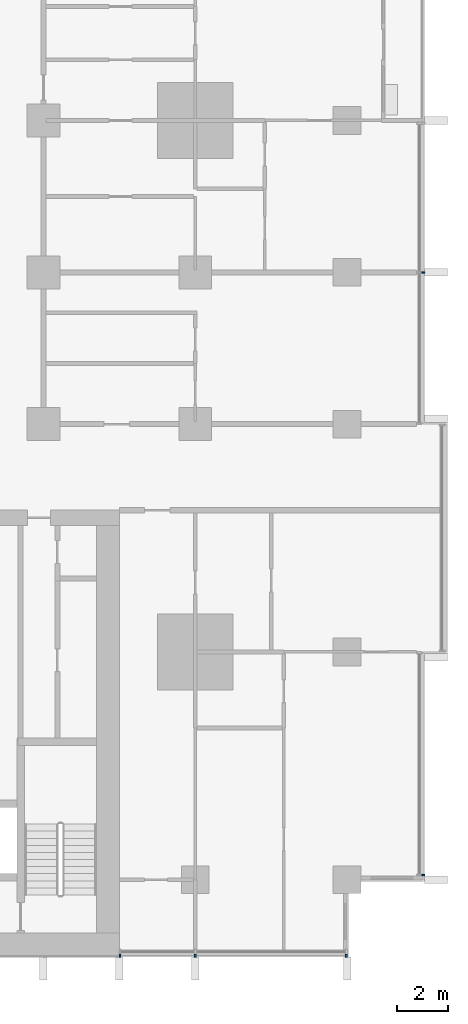
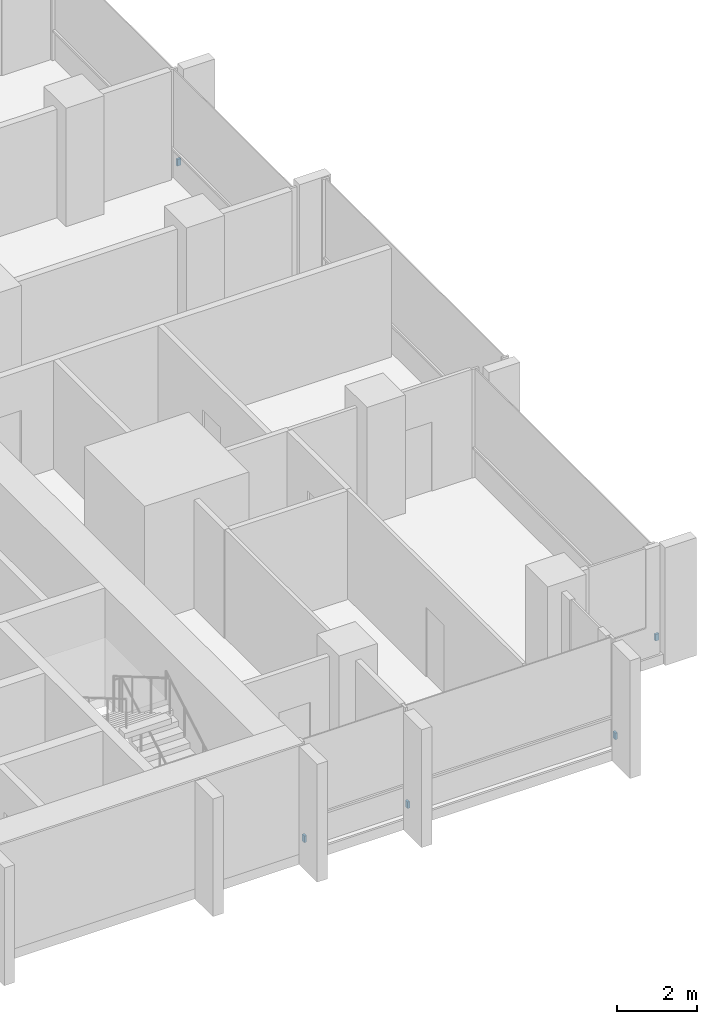
# One storey, part 15 of 18: 5 discrete accessories.
"""IFC4 building model written with IfcOpenShell, lengths in metres."""

from ifc_helpers import new_model, si_unit, direction, frame, origin, origin_2d, place, context, subcontext, project, spatial, rectangle, extrude, material, type_object, element, save


model = new_model("IFC4")

# Units and contexts
model_context = context("Model", 3, precision=1e-05, world=origin(), true_north=direction((0.0, 1.0)))
body_context = subcontext(model_context, "Body", "Model", "MODEL_VIEW")
ifc_project = project(units=[si_unit("LENGTHUNIT", "METRE"), si_unit("AREAUNIT", "SQUARE_METRE"), si_unit("VOLUMEUNIT", "CUBIC_METRE"), si_unit("PLANEANGLEUNIT", "RADIAN"), si_unit("MASSUNIT", "GRAM", prefix="KILO")], contexts=[model_context])

# Site, building, storey
site_placement = place(None, origin())
site = spatial("IfcSite", under=ifc_project, at=site_placement, CompositionType="ELEMENT")
building_placement = place(site_placement, origin())
building = spatial("IfcBuilding", under=site, at=building_placement, Name="Finial Court Residences", CompositionType="ELEMENT")
storey_placement = place(building_placement, frame((0.0, 0.0, 36.10009765625)))
storey = spatial("IfcBuildingStorey", under=building, at=storey_placement, Name="L07", CompositionType="ELEMENT", Elevation=36.10009765625)

# Discrete accessories
ifc_material = material(Name="Stainless steel 316", Category="steel")
discrete_accessory_type = type_object("IfcDiscreteAccessoryType", Name="Fin bracket, stainless steel 65 x 110 x 200", PredefinedType="BRACKET", material=ifc_material)
for number, where, z_axis, x_axis, name in (
    (1, (25.5048828125, -22.3173828125, 0.2998046875), (0.0, 0.0, 1.0), (1.0, 0.0, 0.0), "E-L07-FIN-E9-BRK"),
    (2, (25.5048828125, 1.5, 0.2998046875), (0.0, 0.0, 1.0), (1.0, 0.0, 0.0), "E-L07-FIN-E12-BRK"),
):
    element("IfcDiscreteAccessory", number, at=place(storey_placement, frame(where, z_axis=z_axis, x_axis=x_axis)), inside=storey, type_object=discrete_accessory_type, Name=name, PredefinedType="BRACKET", context=body_context, shape_type="SweptSolid", body=[
        extrude(rectangle(XDim=0.110107421875, YDim=0.06494140625, at=origin_2d()), origin(), (0.0, 0.0, 1.0), 0.199951171875),
    ])
for number, where, z_axis, x_axis, name in (
    (3, (13.532470703125, -25.5048828125, 0.2998046875), (0.0, 0.0, 1.0), (1.0, 0.0, 0.0), "E-L07-FIN-S24-BRK"),
    (4, (16.5, -25.5048828125, 0.2998046875), (0.0, 0.0, 1.0), (1.0, 0.0, 0.0), "E-L07-FIN-S25-BRK"),
    (5, (22.467529296875, -25.5048828125, 0.2998046875), (0.0, 0.0, 1.0), (1.0, 0.0, 0.0), "E-L07-FIN-S26-BRK"),
):
    element("IfcDiscreteAccessory", number, at=place(storey_placement, frame(where, z_axis=z_axis, x_axis=x_axis)), inside=storey, type_object=discrete_accessory_type, Name=name, PredefinedType="BRACKET", context=body_context, shape_type="SweptSolid", body=[
        extrude(rectangle(XDim=0.06494140625, YDim=0.110107421875, at=origin_2d()), origin(), (0.0, 0.0, 1.0), 0.199951171875),
    ])

save(model, "model.ifc")
